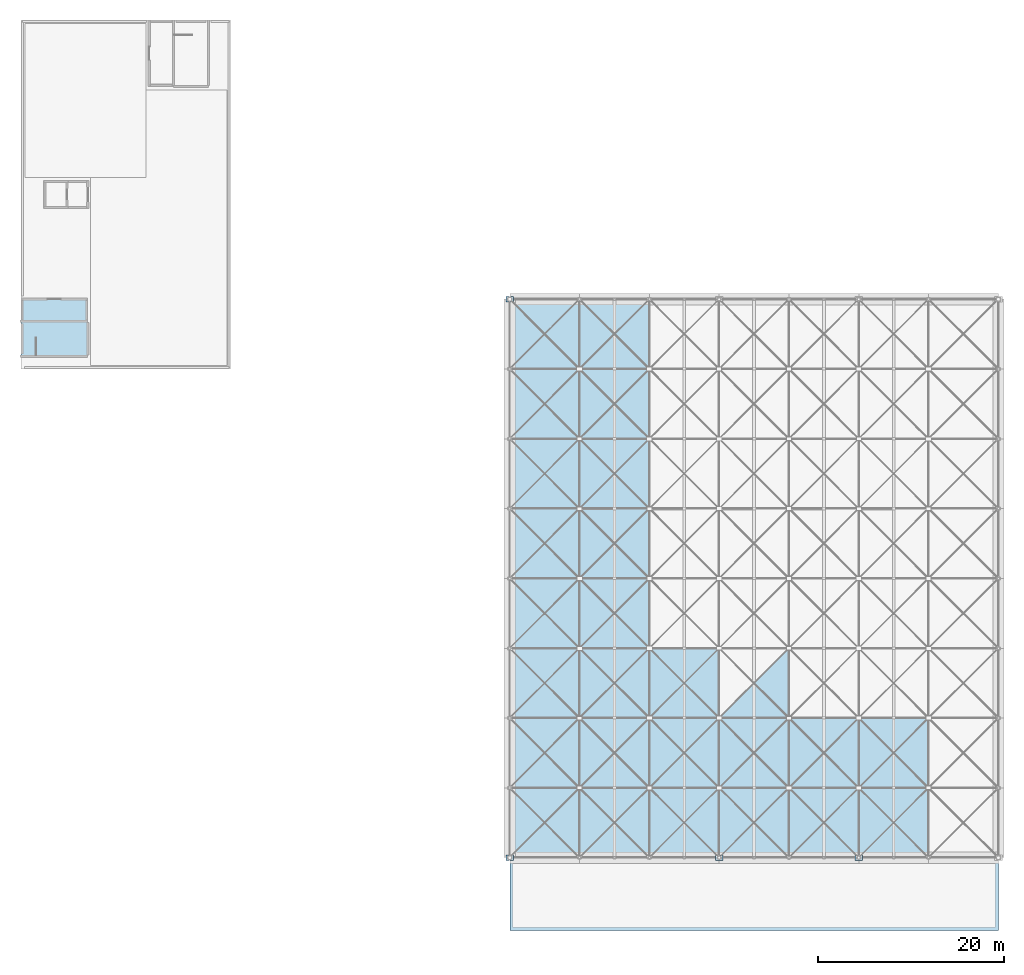
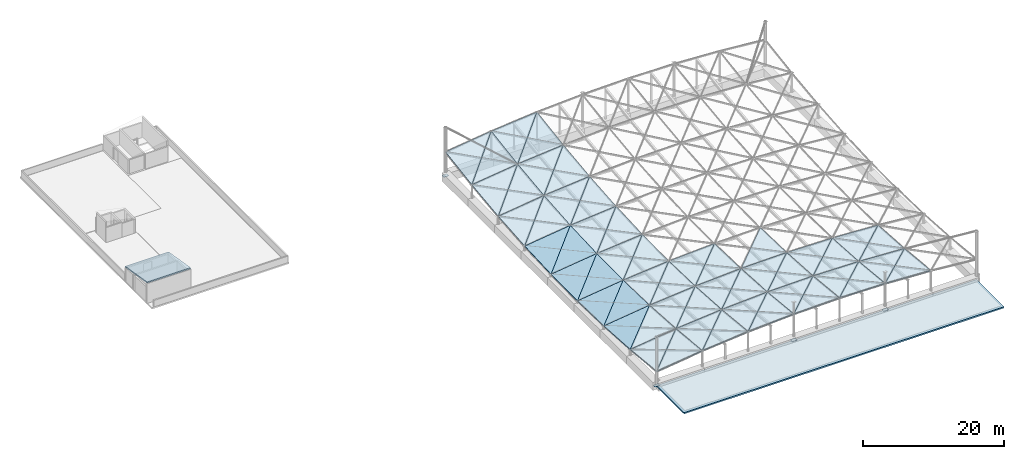
# One storey, part 10 of 17: 53 slabs, 4 plates.
"""IFC4 building model written with IfcOpenShell, lengths in metres."""

from ifc_helpers import new_model, si_unit, direction, frame, origin, origin_2d, place, context, subcontext, project, spatial, polyline, rectangle, outline, extrude, material, layer, layer_set, type_object, element, save


model = new_model("IFC4")

# Units and contexts
model_context = context("Model", 3, precision=1e-05, world=origin(), true_north=direction((0.0, 1.0)))
body_context = subcontext(model_context, "Body", "Model", "MODEL_VIEW")
ifc_project = project(units=[si_unit("LENGTHUNIT", "METRE"), si_unit("AREAUNIT", "SQUARE_METRE"), si_unit("VOLUMEUNIT", "CUBIC_METRE"), si_unit("PLANEANGLEUNIT", "RADIAN"), si_unit("MASSUNIT", "GRAM", prefix="KILO")], contexts=[model_context])

# Site, building, storey
site_placement = place(None, origin())
site = spatial("IfcSite", under=ifc_project, at=site_placement, CompositionType="ELEMENT")
building_placement = place(site_placement, origin())
building = spatial("IfcBuilding", under=site, at=building_placement, Name="Qasida Concert Hall", CompositionType="ELEMENT")
storey_placement = place(building_placement, frame((0.0, 0.0, 25.199951171875)))
storey = spatial("IfcBuildingStorey", under=building, at=storey_placement, Name="RF", CompositionType="ELEMENT", Elevation=25.199951171875)

# Plates
ifc_material_1 = material(Name="Steel S355J2", Category="steel")
ifc_layer_1 = layer(ifc_material_1, 0.0400390625, Name="Steel S355J2")
ifc_layer_set_1 = layer_set([ifc_layer_1], Name="Steel S355J2")
plate_type = type_object("IfcPlateType", Name="PLT-PL-MB1", PredefinedType="USERDEFINED", material=ifc_layer_set_1)
for number, where, z_axis, x_axis, name in (
    (1, (52.5, 22.5, 0.0), (0.0, 0.0, 1.0), (1.0, 0.0, 0.0), "Cable-net mast baseplate MS-01"),
    (2, (52.5, 82.5, 0.0), (0.0, 0.0, 1.0), (1.0, 0.0, 0.0), "Cable-net mast baseplate MS-03"),
    (3, (75.0, 22.5, 0.0), (0.0, 0.0, 1.0), (1.0, 0.0, 0.0), "Cable-net mast baseplate MS-05"),
    (4, (90.0, 22.5, 0.0), (0.0, 0.0, 1.0), (1.0, 0.0, 0.0), "Cable-net mast baseplate MS-06"),
):
    element("IfcPlate", number, at=place(storey_placement, frame(where, z_axis=z_axis, x_axis=x_axis)), inside=storey, type_object=plate_type, Name=name, ObjectType="GUSSET_PLATE", PredefinedType="USERDEFINED", context=body_context, shape_type="SweptSolid", body=[
        extrude(rectangle(XDim=0.840087890625, YDim=0.580078125, at=origin_2d()), origin(), (0.0, 0.0, 1.0), 0.0400390625),
    ])

# Slabs
ifc_material_2 = material(Name="Concrete C40/50", Category="concrete")
ifc_layer_2 = layer(ifc_material_2, 0.179931640625, Name="Concrete C40/50")
ifc_layer_set_2 = layer_set([ifc_layer_2], Name="Concrete C40/50")
slab_type_1 = type_object("IfcSlabType", Name="SL-RS-180", PredefinedType="USERDEFINED", material=ifc_layer_set_2)
slab_1_placement = place(storey_placement, frame((52.5, 22.5, 2.449951171875), z_axis=(-0.127034566107, 0.098697568811, 0.986975688112), x_axis=(0.991818265159, 0.0, 0.127657858738)))
element("IfcSlab", 5, at=slab_1_placement, inside=storey, type_object=slab_type_1, Name="Cable-net roof facet 001", ObjectType="TENSILE_ROOF_SHELL", PredefinedType="USERDEFINED", context=body_context, shape_type="SweptSolid", body=[
    extrude(outline(polyline([(0.0, 0.0), (7.561869208770888, 0.0), (7.466125814717239, 7.536798604347545), (0.0, 0.0)])), origin(), (0.0, 0.0, -1.0), 0.179931640625),
])
slab_2_placement = place(storey_placement, frame((52.5, 22.5, 2.449951171875), z_axis=(-0.127034566107, 0.098697568811, 0.986975688112), x_axis=(0.706961106016, 0.706961106016, 0.02029751613)))
element("IfcSlab", 6, at=slab_2_placement, inside=storey, type_object=slab_type_1, Name="Cable-net roof facet 002", ObjectType="TENSILE_ROOF_SHELL", PredefinedType="USERDEFINED", context=body_context, shape_type="SweptSolid", body=[
    extrude(outline(polyline([(0.0, 0.0), (10.608787295618772, -5.342948306008566e-16), (5.286985158023292, 5.372177206574763), (0.0, 0.0)])), origin(), (0.0, 0.0, -1.0), 0.179931640625),
])
slab_3_placement = place(storey_placement, frame((52.5, 30.0, 1.699951171875), z_axis=(-0.127406903394, 0.06267233867, 0.98986850588), x_axis=(0.991818265159, 0.0, 0.127657858738)))
element("IfcSlab", 7, at=slab_3_placement, inside=storey, type_object=slab_type_1, Name="Cable-net roof facet 003", ObjectType="TENSILE_ROOF_SHELL", PredefinedType="USERDEFINED", context=body_context, shape_type="SweptSolid", body=[
    extrude(outline(polyline([(0.0, 0.0), (7.561869208770888, -6.938893903907228e-18), (7.501250425751895, 7.5147728657922), (0.0, 0.0)])), origin(), (0.0, 0.0, -1.0), 0.179931640625),
])
slab_4_placement = place(storey_placement, frame((52.5, 30.0, 1.699951171875), z_axis=(-0.127406903394, 0.06267233867, 0.98986850588), x_axis=(0.706351955581, 0.706351955581, 0.046193394491)))
element("IfcSlab", 8, at=slab_4_placement, inside=storey, type_object=slab_type_1, Name="Cable-net roof facet 004", ObjectType="TENSILE_ROOF_SHELL", PredefinedType="USERDEFINED", context=body_context, shape_type="SweptSolid", body=[
    extrude(outline(polyline([(0.0, 0.0), (10.617936201272341, 8.326672684688674e-17), (5.275704571082698, 5.35186202549716), (0.0, 0.0)])), origin(), (0.0, 0.0, -1.0), 0.179931640625),
])
slab_5_placement = place(storey_placement, frame((52.5, 37.5, 1.22509765625), z_axis=(-0.127613145222, 0.026465042762, 0.991470870312), x_axis=(0.991818265159, 0.0, 0.127657858738)))
element("IfcSlab", 9, at=slab_5_placement, inside=storey, type_object=slab_type_1, Name="Cable-net roof facet 005", ObjectType="TENSILE_ROOF_SHELL", PredefinedType="USERDEFINED", context=body_context, shape_type="SweptSolid", body=[
    extrude(outline(polyline([(0.0, 0.0), (7.561869208770888, 0.0), (7.536312703847713, 7.502627874831797), (0.0, 0.0)])), origin(), (0.0, 0.0, -1.0), 0.179931640625),
])
slab_6_placement = place(storey_placement, frame((52.5, 37.5, 1.22509765625), z_axis=(-0.127581505084, 0.026432899738, 0.991475799691), x_axis=(0.705274088713, 0.705274088713, 0.071950813608)))
element("IfcSlab", 10, at=slab_6_placement, inside=storey, type_object=slab_type_1, Name="Cable-net roof facet 006", ObjectType="TENSILE_ROOF_SHELL", PredefinedType="USERDEFINED", context=body_context, shape_type="SweptSolid", body=[
    extrude(outline(polyline([(0.0, 0.0), (10.63416354013702, -6.106226635438361e-16), (5.275169015852708, 5.335032551477242), (0.0, 0.0)])), origin(), (0.0, 0.0, -1.0), 0.179931640625),
])
slab_7_placement = place(storey_placement, frame((52.5, 45.0, 1.025146484375), z_axis=(-0.127619789304, -0.009943560614, 0.991773318345), x_axis=(0.991822352476, 0.0, 0.127626098937)))
element("IfcSlab", 11, at=slab_7_placement, inside=storey, type_object=slab_type_1, Name="Cable-net roof facet 007", ObjectType="TENSILE_ROOF_SHELL", PredefinedType="USERDEFINED", context=body_context, shape_type="SweptSolid", body=[
    extrude(outline(polyline([(0.0, 0.0), (7.561838046178391, 0.0), (7.571434930571093, 7.500370806488965), (0.0, 0.0)])), origin(), (0.0, 0.0, -1.0), 0.179931640625),
])
slab_8_placement = place(storey_placement, frame((52.5, 45.0, 1.025146484375), z_axis=(-0.127651588499, -0.009911238662, 0.991769549493), x_axis=(0.703730130554, 0.703730130554, 0.09761048458)))
element("IfcSlab", 12, at=slab_8_placement, inside=storey, type_object=slab_type_1, Name="Cable-net roof facet 008", ObjectType="TENSILE_ROOF_SHELL", PredefinedType="USERDEFINED", context=body_context, shape_type="SweptSolid", body=[
    extrude(outline(polyline([(0.0, 0.0), (10.65749450587257, 2.0816681711721685e-16), (5.28529199936419, 5.321776598056548), (0.0, 0.0)])), origin(), (0.0, 0.0, -1.0), 0.179931640625),
])
slab_9_placement = place(storey_placement, frame((52.5, 52.5, 1.10009765625), z_axis=(-0.127521452196, -0.046216044764, 0.990758475329), x_axis=(0.991818265159, 0.0, 0.127657858738)))
element("IfcSlab", 13, at=slab_9_placement, inside=storey, type_object=slab_type_1, Name="Cable-net roof facet 009", ObjectType="TENSILE_ROOF_SHELL", PredefinedType="USERDEFINED", context=body_context, shape_type="SweptSolid", body=[
    extrude(outline(polyline([(0.0, 0.0), (7.561869208770888, 6.938893903907228e-18), (7.606530759447606, 7.508022564449732), (0.0, 0.0)])), origin(), (0.0, 0.0, -1.0), 0.179931640625),
])
slab_10_placement = place(storey_placement, frame((52.5, 52.5, 1.10009765625), z_axis=(-0.127521452196, -0.046216044764, 0.990758475329), x_axis=(0.701732709478, 0.701732709478, 0.123054495637)))
element("IfcSlab", 14, at=slab_10_placement, inside=storey, type_object=slab_type_1, Name="Cable-net roof facet 010", ObjectType="TENSILE_ROOF_SHELL", PredefinedType="USERDEFINED", context=body_context, shape_type="SweptSolid", body=[
    extrude(outline(polyline([(0.0, 0.0), (10.687830136314334, -6.938893903907228e-16), (5.306046368999434, 5.31208710512385), (0.0, 0.0)])), origin(), (0.0, 0.0, -1.0), 0.179931640625),
])
slab_11_placement = place(storey_placement, frame((52.5, 60.0, 1.449951171875), z_axis=(-0.127224047179, -0.082370652701, 0.988447832408), x_axis=(0.991818265159, 0.0, 0.127657858738)))
element("IfcSlab", 15, at=slab_11_placement, inside=storey, type_object=slab_type_1, Name="Cable-net roof facet 011", ObjectType="TENSILE_ROOF_SHELL", PredefinedType="USERDEFINED", context=body_context, shape_type="SweptSolid", body=[
    extrude(outline(polyline([(0.0, 0.0), (7.561869208770888, -1.3877787807814457e-17), (7.641655370482262, 7.525573677029504), (0.0, 0.0)])), origin(), (0.0, 0.0, -1.0), 0.179931640625),
])
slab_12_placement = place(storey_placement, frame((52.5, 60.0, 1.449951171875), z_axis=(-0.127224047179, -0.082370652701, 0.988447832408), x_axis=(0.699289966246, 0.699289966246, 0.148280430994)))
element("IfcSlab", 16, at=slab_12_placement, inside=storey, type_object=slab_type_1, Name="Cable-net roof facet 012", ObjectType="TENSILE_ROOF_SHELL", PredefinedType="USERDEFINED", context=body_context, shape_type="SweptSolid", body=[
    extrude(outline(polyline([(0.0, 0.0), (10.725164612705008, -6.938893903907228e-18), (5.337350016215153, 5.305970203874887), (0.0, 0.0)])), origin(), (0.0, 0.0, -1.0), 0.179931640625),
])
slab_13_placement = place(storey_placement, frame((52.5, 67.5, 2.074951171875), z_axis=(-0.126762906459, -0.118203044035, 0.984865069909), x_axis=(0.991818265159, 0.0, 0.127657858738)))
element("IfcSlab", 17, at=slab_13_placement, inside=storey, type_object=slab_type_1, Name="Cable-net roof facet 013", ObjectType="TENSILE_ROOF_SHELL", PredefinedType="USERDEFINED", context=body_context, shape_type="SweptSolid", body=[
    extrude(outline(polyline([(0.0, 0.0), (7.561869208770888, 0.0), (7.676779981516916, 7.552950364436376), (0.0, 0.0)])), origin(), (0.0, 0.0, -1.0), 0.179931640625),
])
slab_14_placement = place(storey_placement, frame((52.5, 67.5, 2.074951171875), z_axis=(-0.126762906459, -0.118203044035, 0.984865069909), x_axis=(0.696417526448, 0.696417526448, 0.173220257799)))
element("IfcSlab", 18, at=slab_14_placement, inside=storey, type_object=slab_type_1, Name="Cable-net roof facet 014", ObjectType="TENSILE_ROOF_SHELL", PredefinedType="USERDEFINED", context=body_context, shape_type="SweptSolid", body=[
    extrude(outline(polyline([(0.0, 0.0), (10.769401566115848, -2.896988204881268e-16), (5.379055054440691, 5.303398006432172), (0.0, 0.0)])), origin(), (0.0, 0.0, -1.0), 0.179931640625),
])
slab_15_placement = place(storey_placement, frame((52.5, 75.0, 2.97509765625), z_axis=(-0.126144595445, -0.153517398401, 0.980061196777), x_axis=(0.991818265159, 0.0, 0.127657858738)))
element("IfcSlab", 19, at=slab_15_placement, inside=storey, type_object=slab_type_1, Name="Cable-net roof facet 015", ObjectType="TENSILE_ROOF_SHELL", PredefinedType="USERDEFINED", context=body_context, shape_type="SweptSolid", body=[
    extrude(outline(polyline([(0.0, 0.0), (7.561869208770888, -2.7755575615628914e-17), (7.711842259612736, 7.589971945784331), (0.0, 0.0)])), origin(), (0.0, 0.0, -1.0), 0.179931640625),
])
slab_16_placement = place(storey_placement, frame((52.5, 75.0, 2.97509765625), z_axis=(-0.126112582151, -0.153549167188, 0.980060339917), x_axis=(0.693137767274, 0.693137767274, 0.19778794492)))
element("IfcSlab", 20, at=slab_16_placement, inside=storey, type_object=slab_type_1, Name="Cable-net roof facet 016", ObjectType="TENSILE_ROOF_SHELL", PredefinedType="USERDEFINED", context=body_context, shape_type="SweptSolid", body=[
    extrude(outline(polyline([(0.0, 0.0), (10.820359752565624, -1.734723475976807e-16), (5.430943747453564, 5.304299177127264), (0.0, 0.0)])), origin(), (0.0, 0.0, -1.0), 0.179931640625),
])
slab_17_placement = place(storey_placement, frame((60.0, 22.5, 3.415283203125), z_axis=(-0.091954165824, 0.099082145707, 0.99082145707), x_axis=(0.995721144576, 0.0, 0.092408886171)))
element("IfcSlab", 21, at=slab_17_placement, inside=storey, type_object=slab_type_1, Name="Cable-net roof facet 017", ObjectType="TENSILE_ROOF_SHELL", PredefinedType="USERDEFINED", context=body_context, shape_type="SweptSolid", body=[
    extrude(outline(polyline([(0.0, 0.0), (7.532229320278822, 2.7755575615628914e-17), (7.4629226556502255, 7.537088070749741), (0.0, 0.0)])), origin(), (0.0, 0.0, -1.0), 0.179931640625),
])
slab_18_placement = place(storey_placement, frame((60.0, 22.5, 3.415283203125), z_axis=(-0.091954165824, 0.099082145707, 0.99082145707), x_axis=(0.707097632501, 0.707097632501, -0.005086867734)))
element("IfcSlab", 22, at=slab_18_placement, inside=storey, type_object=slab_type_1, Name="Cable-net roof facet 018", ObjectType="TENSILE_ROOF_SHELL", PredefinedType="USERDEFINED", context=body_context, shape_type="SweptSolid", body=[
    extrude(outline(polyline([(0.0, 0.0), (10.606738949858977, -7.216449660063518e-16), (5.307047394556852, 5.3523591015483385), (0.0, 0.0)])), origin(), (0.0, 0.0, -1.0), 0.179931640625),
])
slab_19_placement = place(storey_placement, frame((60.0, 30.0, 2.665283203125), z_axis=(-0.092225608767, 0.062950205072, 0.993746300003), x_axis=(0.995721144576, 0.0, 0.092408886171)))
element("IfcSlab", 23, at=slab_19_placement, inside=storey, type_object=slab_type_1, Name="Cable-net roof facet 019", ObjectType="TENSILE_ROOF_SHELL", PredefinedType="USERDEFINED", context=body_context, shape_type="SweptSolid", body=[
    extrude(outline(polyline([(0.0, 0.0), (7.532229320278822, 6.938893903907228e-18), (7.488326075042087, 7.514904542842306), (0.0, 0.0)])), origin(), (0.0, 0.0, -1.0), 0.179931640625),
])
slab_20_placement = place(storey_placement, frame((60.0, 30.0, 2.665283203125), z_axis=(-0.092193722944, 0.062918172325, 0.993751287315), x_axis=(0.706953411887, 0.706953411887, 0.020826589771)))
element("IfcSlab", 24, at=slab_20_placement, inside=storey, type_object=slab_type_1, Name="Cable-net roof facet 020", ObjectType="TENSILE_ROOF_SHELL", PredefinedType="USERDEFINED", context=body_context, shape_type="SweptSolid", body=[
    extrude(outline(polyline([(0.0, 0.0), (10.608902756373402, 4.683753385137379e-16), (5.2922610097844975, 5.335490536550149), (0.0, 0.0)])), origin(), (0.0, 0.0, -1.0), 0.179931640625),
])
slab_21_placement = place(storey_placement, frame((60.0, 37.5, 2.1904296875), z_axis=(-0.092344218322, 0.026536812213, 0.995373469076), x_axis=(0.995724126481, 0.0, 0.092376750015)))
element("IfcSlab", 25, at=slab_21_placement, inside=storey, type_object=slab_type_1, Name="Cable-net roof facet 021", ObjectType="TENSILE_ROOF_SHELL", PredefinedType="USERDEFINED", context=body_context, shape_type="SweptSolid", body=[
    extrude(outline(polyline([(0.0, 0.0), (7.532206763438463, 0.0), (7.513735924018892, 7.502642154549644), (0.0, 0.0)])), origin(), (0.0, 0.0, -1.0), 0.179931640625),
])
slab_22_placement = place(storey_placement, frame((60.0, 37.5, 2.1904296875), z_axis=(-0.09237626388, 0.026569111323, 0.995369633953), x_axis=(0.706335360484, 0.706335360484, 0.046698148345)))
element("IfcSlab", 26, at=slab_22_placement, inside=storey, type_object=slab_type_1, Name="Cable-net roof facet 022", ObjectType="TENSILE_ROOF_SHELL", PredefinedType="USERDEFINED", context=body_context, shape_type="SweptSolid", body=[
    extrude(outline(polyline([(0.0, 0.0), (10.61818566588084, 5.828670879282072e-16), (5.288166453231833, 5.3221587467925495), (0.0, 0.0)])), origin(), (0.0, 0.0, -1.0), 0.179931640625),
])
slab_23_placement = place(storey_placement, frame((60.0, 45.0, 1.990234375), z_axis=(-0.092404311486, -0.009950236277, 0.995671851574), x_axis=(0.995721144576, 0.0, 0.092408886171)))
element("IfcSlab", 27, at=slab_23_placement, inside=storey, type_object=slab_type_1, Name="Cable-net roof facet 023", ObjectType="TENSILE_ROOF_SHELL", PredefinedType="USERDEFINED", context=body_context, shape_type="SweptSolid", body=[
    extrude(outline(polyline([(0.0, 0.0), (7.532229320278822, -1.734723475976807e-18), (7.5391554745890375, 7.500371304578987), (0.0, 0.0)])), origin(), (0.0, 0.0, -1.0), 0.179931640625),
])
slab_24_placement = place(storey_placement, frame((60.0, 45.0, 1.990234375), z_axis=(-0.092372147054, -0.009982674138, 0.995674511407), x_axis=(0.705246023044, 0.705246023044, 0.072498923853)))
element("IfcSlab", 28, at=slab_24_placement, inside=storey, type_object=slab_type_1, Name="Cable-net roof facet 024", ObjectType="TENSILE_ROOF_SHELL", PredefinedType="USERDEFINED", context=body_context, shape_type="SweptSolid", body=[
    extrude(outline(polyline([(0.0, 0.0), (10.634586732759189, 6.38378239159465e-16), (5.29479675206866, 5.312323567828408), (0.0, 0.0)])), origin(), (0.0, 0.0, -1.0), 0.179931640625),
])
slab_25_placement = place(storey_placement, frame((60.0, 52.5, 2.0654296875), z_axis=(-0.092277126094, -0.046429964498, 0.994650285476), x_axis=(0.995724126481, 0.0, 0.092376750015)))
element("IfcSlab", 29, at=slab_25_placement, inside=storey, type_object=slab_type_1, Name="Cable-net roof facet 025", ObjectType="TENSILE_ROOF_SHELL", PredefinedType="USERDEFINED", context=body_context, shape_type="SweptSolid", body=[
    extrude(outline(polyline([(0.0, 0.0), (7.532206763438463, 0.0), (7.5645476471108255, 7.508097124848282), (0.0, 0.0)])), origin(), (0.0, 0.0, -1.0), 0.179931640625),
])
slab_26_placement = place(storey_placement, frame((60.0, 52.5, 2.0654296875), z_axis=(-0.092309366909, -0.046397517636, 0.994648807941), x_axis=(0.703693843449, 0.703693843449, 0.098132305512)))
element("IfcSlab", 30, at=slab_26_placement, inside=storey, type_object=slab_type_1, Name="Cable-net roof facet 026", ObjectType="TENSILE_ROOF_SHELL", PredefinedType="USERDEFINED", context=body_context, shape_type="SweptSolid", body=[
    extrude(outline(polyline([(0.0, 0.0), (10.658044076732136, -2.3592239273284576e-16), (5.312035757944162, 5.3060977741385225), (0.0, 0.0)])), origin(), (0.0, 0.0, -1.0), 0.179931640625),
])
slab_27_placement = place(storey_placement, frame((60.0, 60.0, 2.415283203125), z_axis=(-0.092092395351, -0.082692575271, 0.992310903252), x_axis=(0.995721144576, 0.0, 0.092408886171)))
element("IfcSlab", 31, at=slab_27_placement, inside=storey, type_object=slab_type_1, Name="Cable-net roof facet 027", ObjectType="TENSILE_ROOF_SHELL", PredefinedType="USERDEFINED", context=body_context, shape_type="SweptSolid", body=[
    extrude(outline(polyline([(0.0, 0.0), (7.532229320278822, -6.938893903907228e-18), (7.589984874135987, 7.525774996370717), (0.0, 0.0)])), origin(), (0.0, 0.0, -1.0), 0.179931640625),
])
slab_28_placement = place(storey_placement, frame((60.0, 60.0, 2.415283203125), z_axis=(-0.092092395351, -0.082692575271, 0.992310903252), x_axis=(0.701685268541, 0.701685268541, 0.123594368101)))
element("IfcSlab", 32, at=slab_28_placement, inside=storey, type_object=slab_type_1, Name="Cable-net roof facet 028", ObjectType="TENSILE_ROOF_SHELL", PredefinedType="USERDEFINED", context=body_context, shape_type="SweptSolid", body=[
    extrude(outline(polyline([(0.0, 0.0), (10.688552740460786, -1.0581813203458523e-16), (5.339885994117418, 5.303418008212123), (0.0, 0.0)])), origin(), (0.0, 0.0, -1.0), 0.179931640625),
])
slab_29_placement = place(storey_placement, frame((60.0, 67.5, 3.040283203125), z_axis=(-0.091756344481, -0.118629914331, 0.988689899146), x_axis=(0.995721144576, 0.0, 0.092408886171)))
element("IfcSlab", 33, at=slab_29_placement, inside=storey, type_object=slab_type_1, Name="Cable-net roof facet 029", ObjectType="TENSILE_ROOF_SHELL", PredefinedType="USERDEFINED", context=body_context, shape_type="SweptSolid", body=[
    extrude(outline(polyline([(0.0, 0.0), (7.532229320278822, -2.7755575615628914e-17), (7.6153882935278485, 7.553337594299285), (0.0, 0.0)])), origin(), (0.0, 0.0, -1.0), 0.179931640625),
])
slab_30_placement = place(storey_placement, frame((60.0, 67.5, 3.040283203125), z_axis=(-0.091724081138, -0.118661995494, 0.988689043008), x_axis=(0.699235588595, 0.699235588595, 0.148792416753)))
element("IfcSlab", 34, at=slab_30_placement, inside=storey, type_object=slab_type_1, Name="Cable-net roof facet 030", ObjectType="TENSILE_ROOF_SHELL", PredefinedType="USERDEFINED", context=body_context, shape_type="SweptSolid", body=[
    extrude(outline(polyline([(0.0, 0.0), (10.725998679594172, 1.1796119636642288e-16), (5.378201885307603, 5.304263207478152), (0.0, 0.0)])), origin(), (0.0, 0.0, -1.0), 0.179931640625),
])
slab_31_placement = place(storey_placement, frame((60.0, 75.0, 3.9404296875), z_axis=(-0.091272772962, -0.154138896935, 0.983824415924), x_axis=(0.995724126481, 0.0, 0.092376750015)))
element("IfcSlab", 35, at=slab_31_placement, inside=storey, type_object=slab_type_1, Name="Cable-net roof facet 031", ObjectType="TENSILE_ROOF_SHELL", PredefinedType="USERDEFINED", context=body_context, shape_type="SweptSolid", body=[
    extrude(outline(polyline([(0.0, 0.0), (7.532206763438463, 1.3877787807814457e-17), (7.640753955289983, 7.590715200534078), (0.0, 0.0)])), origin(), (0.0, 0.0, -1.0), 0.179931640625),
])
slab_32_placement = place(storey_placement, frame((60.0, 75.0, 3.9404296875), z_axis=(-0.091304982229, -0.15410718151, 0.983826395675), x_axis=(0.696357283261, 0.696357283261, 0.17370396685)))
element("IfcSlab", 36, at=slab_32_placement, inside=storey, type_object=slab_type_1, Name="Cable-net roof facet 032", ObjectType="TENSILE_ROOF_SHELL", PredefinedType="USERDEFINED", context=body_context, shape_type="SweptSolid", body=[
    extrude(outline(polyline([(0.0, 0.0), (10.770333247439405, -1.1102230246251565e-16), (5.426747858948285, 5.308537814612626), (0.0, 0.0)])), origin(), (0.0, 0.0, -1.0), 0.179931640625),
])
slab_33_placement = place(storey_placement, frame((67.5, 22.5, 4.111328125), z_axis=(-0.056495884323, 0.099344794871, 0.993447948705), x_axis=(0.998386899, 0.0, 0.056776754966)))
element("IfcSlab", 37, at=slab_33_placement, inside=storey, type_object=slab_type_1, Name="Cable-net roof facet 033", ObjectType="TENSILE_ROOF_SHELL", PredefinedType="USERDEFINED", context=body_context, shape_type="SweptSolid", body=[
    extrude(outline(polyline([(0.0, 0.0), (7.5121178047403045, 6.938893903907228e-18), (7.469535238515851, 7.537286429813699), (0.0, 0.0)])), origin(), (0.0, 0.0, -1.0), 0.179931640625),
])
slab_34_placement = place(storey_placement, frame((67.5, 22.5, 4.111328125), z_axis=(-0.056495884323, 0.099344794871, 0.993447948705), x_axis=(0.706778147938, 0.706778147938, -0.03048440905)))
element("IfcSlab", 38, at=slab_34_placement, inside=storey, type_object=slab_type_1, Name="Cable-net roof facet 034", ObjectType="TENSILE_ROOF_SHELL", PredefinedType="USERDEFINED", context=body_context, shape_type="SweptSolid", body=[
    extrude(outline(polyline([(0.0, 0.0), (10.61153350861617, -1.734723475976807e-16), (5.323699416321293, 5.335796522044326), (0.0, 0.0)])), origin(), (0.0, 0.0, -1.0), 0.179931640625),
])
slab_35_placement = place(storey_placement, frame((67.5, 30.0, 3.361328125), z_axis=(-0.056663545922, 0.063118065463, 0.996396182437), x_axis=(0.998386899, 0.0, 0.056776754966)))
element("IfcSlab", 39, at=slab_35_placement, inside=storey, type_object=slab_type_1, Name="Cable-net roof facet 035", ObjectType="TENSILE_ROOF_SHELL", PredefinedType="USERDEFINED", context=body_context, shape_type="SweptSolid", body=[
    extrude(outline(polyline([(0.0, 0.0), (7.5121178047403045, 0.0), (7.485143301526507, 7.514984375176745), (0.0, 0.0)])), origin(), (0.0, 0.0, -1.0), 0.179931640625),
])
slab_36_placement = place(storey_placement, frame((67.5, 30.0, 3.361328125), z_axis=(-0.056663545922, 0.063118065463, 0.996396182437), x_axis=(0.707099363271, 0.707099363271, -0.004580493922)))
element("IfcSlab", 40, at=slab_36_placement, inside=storey, type_object=slab_type_1, Name="Cable-net roof facet 036", ObjectType="TENSILE_ROOF_SHELL", PredefinedType="USERDEFINED", context=body_context, shape_type="SweptSolid", body=[
    extrude(outline(polyline([(0.0, 0.0), (10.606712987704427, -3.157196726277789e-16), (5.305421406456558, 5.322426277825441), (0.0, 0.0)])), origin(), (0.0, 0.0, -1.0), 0.179931640625),
])
slab_37_placement = place(storey_placement, frame((67.5, 37.5, 2.88623046875), z_axis=(-0.056756653256, 0.02660772697, 0.998033421874), x_axis=(0.998386899, 0.0, 0.056776754966)))
element("IfcSlab", 41, at=slab_37_placement, inside=storey, type_object=slab_type_1, Name="Cable-net roof facet 037", ObjectType="TENSILE_ROOF_SHELL", PredefinedType="USERDEFINED", context=body_context, shape_type="SweptSolid", body=[
    extrude(outline(polyline([(0.0, 0.0), (7.5121178047403045, 0.0), (7.500765226049606, 7.502656302276632), (0.0, 0.0)])), origin(), (0.0, 0.0, -1.0), 0.179931640625),
])
slab_38_placement = place(storey_placement, frame((67.5, 37.5, 2.88623046875), z_axis=(-0.056756653256, 0.02660772697, 0.998033421874), x_axis=(0.706945519962, 0.706945519962, 0.021355645916)))
element("IfcSlab", 42, at=slab_38_placement, inside=storey, type_object=slab_type_1, Name="Cable-net roof facet 038", ObjectType="TENSILE_ROOF_SHELL", PredefinedType="USERDEFINED", context=body_context, shape_type="SweptSolid", body=[
    extrude(outline(polyline([(0.0, 0.0), (10.609021187951614, -1.214306433183765e-16), (5.297821313284988, 5.3125389225527115), (0.0, 0.0)])), origin(), (0.0, 0.0, -1.0), 0.179931640625),
])
slab_39_placement = place(storey_placement, frame((75.0, 22.5, 4.537841796875), z_axis=(-0.020854966895, 0.099482078109, 0.994820781091), x_axis=(0.999780337359, 0.0, 0.02095893676)))
element("IfcSlab", 43, at=slab_39_placement, inside=storey, type_object=slab_type_1, Name="Cable-net roof facet 049", ObjectType="TENSILE_ROOF_SHELL", PredefinedType="USERDEFINED", context=body_context, shape_type="SweptSolid", body=[
    extrude(outline(polyline([(0.0, 0.0), (7.5016478317737345, 3.469446951953614e-18), (7.485928629203928, 7.53739032468603), (0.0, 0.0)])), origin(), (0.0, 0.0, -1.0), 0.179931640625),
])
slab_40_placement = place(storey_placement, frame((75.0, 22.5, 4.537841796875), z_axis=(-0.020854966895, 0.099482078109, 0.994820781091), x_axis=(0.706005079394, 0.706005079394, -0.055800141041)))
element("IfcSlab", 44, at=slab_40_placement, inside=storey, type_object=slab_type_1, Name="Cable-net roof facet 050", ObjectType="TENSILE_ROOF_SHELL", PredefinedType="USERDEFINED", context=body_context, shape_type="SweptSolid", body=[
    extrude(outline(polyline([(0.0, 0.0), (10.623153032325458, 4.440892098500626e-16), (5.336888201234384, 5.322605032080179), (0.0, 0.0)])), origin(), (0.0, 0.0, -1.0), 0.179931640625),
])
slab_41_placement = place(storey_placement, frame((75.0, 30.0, 3.787841796875), z_axis=(-0.020917029659, 0.063205807014, 0.997781290579), x_axis=(0.999780337359, 0.0, 0.02095893676)))
element("IfcSlab", 45, at=slab_41_placement, inside=storey, type_object=slab_type_1, Name="Cable-net roof facet 051", ObjectType="TENSILE_ROOF_SHELL", PredefinedType="USERDEFINED", context=body_context, shape_type="SweptSolid", body=[
    extrude(outline(polyline([(0.0, 0.0), (7.5016478317737345, 0.0), (7.4916902900416895, 7.515026189597538), (0.0, 0.0)])), origin(), (0.0, 0.0, -1.0), 0.179931640625),
])
slab_42_placement = place(storey_placement, frame((75.0, 30.0, 3.787841796875), z_axis=(-0.020917029659, 0.063205807014, 0.997781290579), x_axis=(0.706789450457, 0.706789450457, -0.029955724756)))
element("IfcSlab", 46, at=slab_42_placement, inside=storey, type_object=slab_type_1, Name="Cable-net roof facet 052", ObjectType="TENSILE_ROOF_SHELL", PredefinedType="USERDEFINED", context=body_context, shape_type="SweptSolid", body=[
    extrude(outline(polyline([(0.0, 0.0), (10.611363815845815, -9.8879238130678e-16), (5.315152773049524, 5.3127082342359255), (0.0, 0.0)])), origin(), (0.0, 0.0, -1.0), 0.179931640625),
])
slab_43_placement = place(storey_placement, frame((75.0, 37.5, 3.312744140625), z_axis=(-0.020951495568, 0.026644836755, 0.999425378659), x_axis=(0.999780337359, 0.0, 0.02095893676)))
element("IfcSlab", 47, at=slab_43_placement, inside=storey, type_object=slab_type_1, Name="Cable-net roof facet 053", ObjectType="TENSILE_ROOF_SHELL", PredefinedType="USERDEFINED", context=body_context, shape_type="SweptSolid", body=[
    extrude(outline(polyline([(0.0, 0.0), (7.5016478317737345, 8.673617379884035e-19), (7.49745706780737, 7.502663720881509), (0.0, 0.0)])), origin(), (0.0, 0.0, -1.0), 0.179931640625),
])
slab_44_placement = place(storey_placement, frame((82.5, 22.5, 4.695068359375), z_axis=(0.014897991845, 0.099492675975, 0.99492675975), x_axis=(0.999887909135, 0.0, -0.014972279889)))
element("IfcSlab", 48, at=slab_44_placement, inside=storey, type_object=slab_type_1, Name="Cable-net roof facet 065", ObjectType="TENSILE_ROOF_SHELL", PredefinedType="USERDEFINED", context=body_context, shape_type="SweptSolid", body=[
    extrude(outline(polyline([(0.0, 0.0), (7.500840775728709, 1.734723475976807e-18), (7.512069985645756, 7.53739835121142), (0.0, 0.0)])), origin(), (0.0, 0.0, -1.0), 0.179931640625),
])
slab_45_placement = place(storey_placement, frame((82.5, 22.5, 4.695068359375), z_axis=(0.014897991845, 0.099492675975, 0.99492675975), x_axis=(0.704781488538, 0.704781488538, -0.081031517497)))
element("IfcSlab", 49, at=slab_45_placement, inside=storey, type_object=slab_type_1, Name="Cable-net roof facet 066", ObjectType="TENSILE_ROOF_SHELL", PredefinedType="USERDEFINED", context=body_context, shape_type="SweptSolid", body=[
    extrude(outline(polyline([(0.0, 0.0), (10.641596185445325, 2.5673907444456745e-16), (5.346634802159054, 5.312814347626089), (0.0, 0.0)])), origin(), (0.0, 0.0, -1.0), 0.179931640625),
])
slab_46_placement = place(storey_placement, frame((82.5, 30.0, 3.945068359375), z_axis=(0.014942336602, 0.063212580496, 0.997888218311), x_axis=(0.999887909135, 0.0, -0.014972279889)))
element("IfcSlab", 50, at=slab_46_placement, inside=storey, type_object=slab_type_1, Name="Cable-net roof facet 067", ObjectType="TENSILE_ROOF_SHELL", PredefinedType="USERDEFINED", context=body_context, shape_type="SweptSolid", body=[
    extrude(outline(polyline([(0.0, 0.0), (7.500840775728709, 0.0), (7.50795407081288, 7.515029420036044), (0.0, 0.0)])), origin(), (0.0, 0.0, -1.0), 0.179931640625),
])
slab_47_placement = place(storey_placement, frame((82.5, 30.0, 3.945068359375), z_axis=(0.014942336602, 0.063212580496, 0.997888218311), x_axis=(0.706024908297, 0.706024908297, -0.055296091451)))
element("IfcSlab", 51, at=slab_47_placement, inside=storey, type_object=slab_type_1, Name="Cable-net roof facet 068", ObjectType="TENSILE_ROOF_SHELL", PredefinedType="USERDEFINED", context=body_context, shape_type="SweptSolid", body=[
    extrude(outline(polyline([(0.0, 0.0), (10.622854678166458, -2.0122792321330962e-16), (5.321457855672041, 5.306392755279294), (0.0, 0.0)])), origin(), (0.0, 0.0, -1.0), 0.179931640625),
])
slab_48_placement = place(storey_placement, frame((90.0, 22.5, 4.582763671875), z_axis=(0.050593916124, 0.099376285378, 0.993762853781), x_axis=(0.998706525654, 0.0, -0.050845605668)))
element("IfcSlab", 52, at=slab_48_placement, inside=storey, type_object=slab_type_1, Name="Cable-net roof facet 081", ObjectType="TENSILE_ROOF_SHELL", PredefinedType="USERDEFINED", context=body_context, shape_type="SweptSolid", body=[
    extrude(outline(polyline([(0.0, 0.0), (7.509713621914388, 0.0), (7.547847826165441, 7.537310248521428), (0.0, 0.0)])), origin(), (0.0, 0.0, -1.0), 0.179931640625),
])
slab_49_placement = place(storey_placement, frame((90.0, 22.5, 4.582763671875), z_axis=(0.050593916124, 0.099376285378, 0.993762853781), x_axis=(0.703114881362, 0.703114881362, -0.106108092122)))
element("IfcSlab", 53, at=slab_49_placement, inside=storey, type_object=slab_type_1, Name="Cable-net roof facet 082", ObjectType="TENSILE_ROOF_SHELL", PredefinedType="USERDEFINED", context=body_context, shape_type="SweptSolid", body=[
    extrude(outline(polyline([(0.0, 0.0), (10.66682017235767, 2.42861286636753e-16), (5.352942679308761, 5.30645876946526), (0.0, 0.0)])), origin(), (0.0, 0.0, -1.0), 0.179931640625),
])
slab_50_placement = place(storey_placement, frame((90.0, 30.0, 3.832763671875), z_axis=(0.050744262132, 0.063105875861, 0.996715941627), x_axis=(0.998706525654, 0.0, -0.050845605668)))
element("IfcSlab", 54, at=slab_50_placement, inside=storey, type_object=slab_type_1, Name="Cable-net roof facet 083", ObjectType="TENSILE_ROOF_SHELL", PredefinedType="USERDEFINED", context=body_context, shape_type="SweptSolid", body=[
    extrude(outline(polyline([(0.0, 0.0), (7.509713621914388, 0.0), (7.533857836519954, 7.514978570708137), (0.0, 0.0)])), origin(), (0.0, 0.0, -1.0), 0.179931640625),
])
slab_51_placement = place(storey_placement, frame((90.0, 30.0, 3.832763671875), z_axis=(0.050711796559, 0.063138295652, 0.99671554082), x_axis=(0.704811527228, 0.704811527228, -0.080507280242)))
element("IfcSlab", 55, at=slab_51_placement, inside=storey, type_object=slab_type_1, Name="Cable-net roof facet 084", ObjectType="TENSILE_ROOF_SHELL", PredefinedType="USERDEFINED", context=body_context, shape_type="SweptSolid", body=[
    extrude(outline(polyline([(0.0, 0.0), (10.641142646308978, -6.418476861114186e-17), (5.324335274366991, 5.303505601873693), (0.0, 0.0)])), origin(), (0.0, 0.0, -1.0), 0.179931640625),
])
ifc_layer_3 = layer(ifc_material_2, 0.199951171875, Name="Concrete C40/50")
ifc_layer_set_3 = layer_set([ifc_layer_3], Name="Concrete C40/50")
slab_type_2 = type_object("IfcSlabType", Name="SL-RS-200", PredefinedType="ROOF", material=ifc_layer_set_3)
slab_52_placement = place(storey_placement, frame((0.0, 76.375, 3.650146484375), z_axis=(0.0, 0.165685710532, 0.986178607213), x_axis=(1.0, 0.0, 0.0)))
element("IfcSlab", 56, at=slab_52_placement, inside=storey, type_object=slab_type_2, Name="V5 ST-05 stair headhouse pitched roof (RS-200)", PredefinedType="ROOF", context=body_context, shape_type="SweptSolid", body=[
    extrude(outline(polyline([(0.0, 0.0), (7.14501953125, 0.0), (7.14501953125, 6.337594381265394), (0.0, 6.337594381265394), (0.0, 0.0)])), origin(), (0.0, 0.0, -1.0), 0.199951171875),
])
ifc_layer_4 = layer(ifc_material_2, 0.239990234375, Name="Concrete C40/50")
ifc_layer_set_4 = layer_set([ifc_layer_4], Name="Concrete C40/50")
slab_type_3 = type_object("IfcSlabType", Name="SL-RS-240", PredefinedType="ROOF", material=ifc_layer_set_4)
slab_53_placement = place(storey_placement, frame((0.0, 0.0, -0.239990234375)))
element("IfcSlab", 57, at=slab_53_placement, inside=storey, type_object=slab_type_3, Name="V1 south cantilever overhang roof (RS-240)", PredefinedType="ROOF", context=body_context, shape_type="SweptSolid", body=[
    extrude(outline(polyline([(52.5, 14.699951171875), (105.0, 14.699951171875), (105.0, 22.5), (52.5, 22.5), (52.5, 14.699951171875)])), origin(), (0.0, 0.0, 1.0), 0.239990234375),
])

save(model, "model.ifc")
